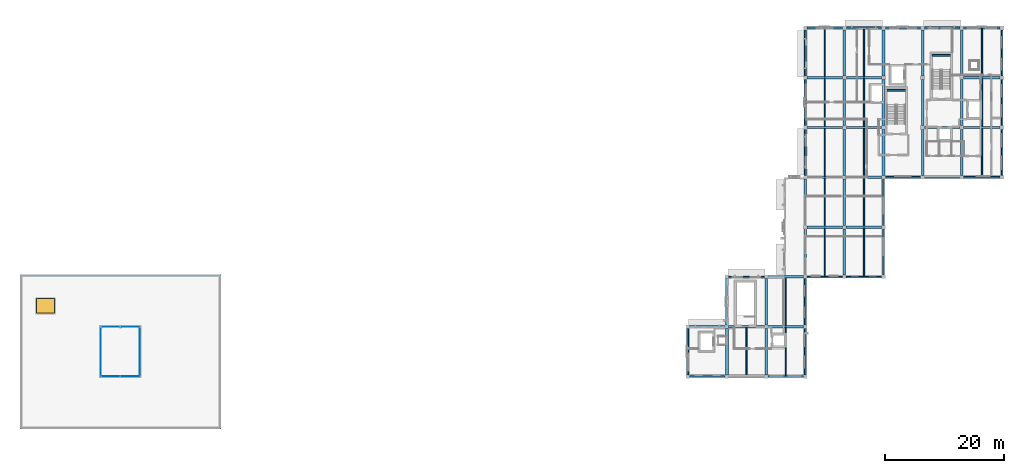
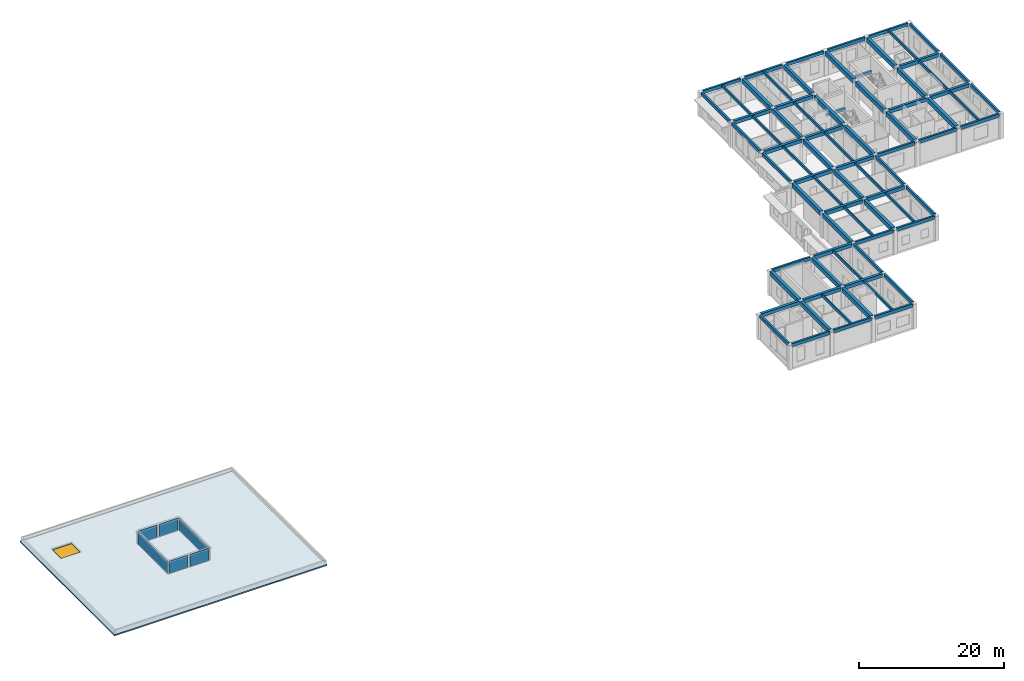
# One storey, part 3 of 14: 78 beams, 6 plates, 1 slab, 1 window, 1 opening.
"""IFC4 building model written with IfcOpenShell, lengths in metres."""

from ifc_helpers import new_model, si_unit, direction, frame, origin, origin_2d, place, context, subcontext, project, spatial, polyline, rectangle, outline, extrude, material, layer, layer_set, material_profile, profile_set, type_object, element, fill, save


model = new_model("IFC4")

# Units and contexts
model_context = context("Model", 3, precision=1e-05, world=origin(), true_north=direction((0.0, 1.0)))
body_context = subcontext(model_context, "Body", "Model", "MODEL_VIEW")
ifc_project = project(units=[si_unit("LENGTHUNIT", "METRE"), si_unit("AREAUNIT", "SQUARE_METRE"), si_unit("VOLUMEUNIT", "CUBIC_METRE"), si_unit("PLANEANGLEUNIT", "RADIAN"), si_unit("MASSUNIT", "GRAM", prefix="KILO")], contexts=[model_context])

# Site, building, storey
site_placement = place(None, origin())
site = spatial("IfcSite", under=ifc_project, at=site_placement, CompositionType="ELEMENT")
building_placement = place(site_placement, origin())
building = spatial("IfcBuilding", under=site, at=building_placement, Name="Kolvaren Faculty of Natural Sciences", CompositionType="ELEMENT")
storey_placement = place(building_placement, frame((0.0, 0.0, 28.5)))
storey = spatial("IfcBuildingStorey", under=building, at=storey_placement, Name="L06", CompositionType="ELEMENT", Elevation=28.5)

# Beams
ifc_material_1 = material(Name="Concrete C40/50", Category="concrete")
ifc_material_profile_1 = material_profile(ifc_material_1, rectangle(XDim=0.300048828125, YDim=0.449951171875, at=origin_2d()), Name="RC LNT 300x450")
ifc_profile_set_1 = profile_set([ifc_material_profile_1], Name="Concrete C40/50")
beam_type_1 = type_object("IfcBeamType", Name="CoreCouplingLintel_300x450", PredefinedType="LINTEL", material=ifc_profile_set_1)
beam_1_placement = place(storey_placement, frame((160.22509765625, 79.580078125, 1.675048828125), z_axis=(1.0, 0.0, 0.0), x_axis=(0.0, 1.0, 0.0)))
element("IfcBeam", 1, at=beam_1_placement, inside=storey, type_object=beam_type_1, Name="L06 ST-1 half-landing support lintel", PredefinedType="LINTEL", context=body_context, shape_type="SweptSolid", body=[
    extrude(rectangle(XDim=0.300048828125, YDim=0.449951171875, at=origin_2d()), origin(), (0.0, 0.0, 1.0), 3.0498046875),
])
beam_2_placement = place(storey_placement, frame((152.625, 73.679931640625, 1.675048828125), z_axis=(1.0, 0.0, 0.0), x_axis=(0.0, 1.0, 0.0)))
element("IfcBeam", 2, at=beam_2_placement, inside=storey, type_object=beam_type_1, Name="L06 ST-2 half-landing support lintel", PredefinedType="LINTEL", context=body_context, shape_type="SweptSolid", body=[
    extrude(rectangle(XDim=0.300048828125, YDim=0.449951171875, at=origin_2d()), origin(), (0.0, 0.0, 1.0), 3.050048828125),
])
ifc_material_2 = material(Name="Concrete C35/45", Category="concrete")
ifc_material_profile_2 = material_profile(ifc_material_2, rectangle(XDim=0.39990234375, YDim=0.60009765625, at=origin_2d()), Name="RC BM 400x600")
ifc_profile_set_2 = profile_set([ifc_material_profile_2], Name="Concrete C35/45")
beam_type_2 = type_object("IfcBeamType", Name="GridBeam_400x600", PredefinedType="BEAM", material=ifc_profile_set_2)
for number, where, z_axis, x_axis, name in (
    (3, (119.300048828125, 33.800048828125, 3.89990234375), (1.0, 0.0, 0.0), (0.0, 1.0, 0.0), "L06 beam BM-60 on grid E"),
    (4, (125.89990234375, 33.800048828125, 3.89990234375), (1.0, 0.0, 0.0), (0.0, 1.0, 0.0), "L06 beam BM-60 on grid E"),
    (5, (132.5, 33.800048828125, 3.89990234375), (1.0, 0.0, 0.0), (0.0, 1.0, 0.0), "L06 beam BM-60 on grid E"),
    (6, (132.5, 42.199951171875, 3.89990234375), (1.0, 0.0, 0.0), (0.0, 1.0, 0.0), "L06 beam BM-60 on grid F"),
    (7, (139.10009765625, 50.60009765625, 3.89990234375), (1.0, 0.0, 0.0), (0.0, 1.0, 0.0), "L06 beam BM-60 on grid G"),
    (8, (145.699951171875, 50.60009765625, 3.89990234375), (1.0, 0.0, 0.0), (0.0, 1.0, 0.0), "L06 beam BM-60 on grid G"),
):
    element("IfcBeam", number, at=place(storey_placement, frame(where, z_axis=z_axis, x_axis=x_axis)), inside=storey, type_object=beam_type_2, Name=name, PredefinedType="BEAM", context=body_context, shape_type="SweptSolid", body=[
        extrude(rectangle(XDim=0.39990234375, YDim=0.60009765625, at=origin_2d()), origin(), (0.0, 0.0, 1.0), 6.0),
    ])
for number, where, z_axis, x_axis, name in (
    (9, (139.125, 59.0, 3.89990234375), (1.0, 0.0, 0.0), (0.0, 1.0, 0.0), "L06 beam BM-60 on grid H"),
    (10, (145.72509765625, 59.0, 3.89990234375), (1.0, 0.0, 0.0), (0.0, 1.0, 0.0), "L06 beam BM-60 on grid H"),
    (11, (139.125, 67.39990234375, 3.89990234375), (1.0, 0.0, 0.0), (0.0, 1.0, 0.0), "L06 beam BM-60 on grid J"),
    (12, (145.72509765625, 67.39990234375, 3.89990234375), (1.0, 0.0, 0.0), (0.0, 1.0, 0.0), "L06 beam BM-60 on grid J"),
    (13, (158.925048828125, 67.39990234375, 3.89990234375), (1.0, 0.0, 0.0), (0.0, 1.0, 0.0), "L06 beam BM-60 on grid J"),
):
    element("IfcBeam", number, at=place(storey_placement, frame(where, z_axis=z_axis, x_axis=x_axis)), inside=storey, type_object=beam_type_2, Name=name, PredefinedType="BEAM", context=body_context, shape_type="SweptSolid", body=[
        extrude(rectangle(XDim=0.39990234375, YDim=0.60009765625, at=origin_2d()), origin(), (0.0, 0.0, 1.0), 5.949951171875),
    ])
beam_3_placement = place(storey_placement, frame((165.52490234375, 67.39990234375, 3.89990234375), z_axis=(1.0, 0.0, 0.0), x_axis=(0.0, 1.0, 0.0)))
element("IfcBeam", 14, at=beam_3_placement, inside=storey, type_object=beam_type_2, Name="L06 beam BM-60 on grid J", PredefinedType="BEAM", context=body_context, shape_type="SweptSolid", body=[
    extrude(rectangle(XDim=0.39990234375, YDim=0.60009765625, at=origin_2d()), origin(), (0.0, 0.0, 1.0), 6.150146484375),
])
for number, where, z_axis, x_axis, name in (
    (15, (139.125, 75.800048828125, 3.89990234375), (1.0, 0.0, 0.0), (0.0, 1.0, 0.0), "L06 beam BM-60 on grid K"),
    (16, (145.72509765625, 75.800048828125, 3.89990234375), (1.0, 0.0, 0.0), (0.0, 1.0, 0.0), "L06 beam BM-60 on grid K"),
):
    element("IfcBeam", number, at=place(storey_placement, frame(where, z_axis=z_axis, x_axis=x_axis)), inside=storey, type_object=beam_type_2, Name=name, PredefinedType="BEAM", context=body_context, shape_type="SweptSolid", body=[
        extrude(rectangle(XDim=0.39990234375, YDim=0.60009765625, at=origin_2d()), origin(), (0.0, 0.0, 1.0), 5.949951171875),
    ])
beam_4_placement = place(storey_placement, frame((165.52490234375, 75.800048828125, 3.89990234375), z_axis=(1.0, 0.0, 0.0), x_axis=(0.0, 1.0, 0.0)))
element("IfcBeam", 17, at=beam_4_placement, inside=storey, type_object=beam_type_2, Name="L06 beam BM-60 on grid K", PredefinedType="BEAM", context=body_context, shape_type="SweptSolid", body=[
    extrude(rectangle(XDim=0.39990234375, YDim=0.60009765625, at=origin_2d()), origin(), (0.0, 0.0, 1.0), 6.150146484375),
])
ifc_material_profile_3 = material_profile(ifc_material_2, rectangle(XDim=0.219970703125, YDim=0.449951171875, at=origin_2d()), Name="RC JST 220x450")
ifc_profile_set_3 = profile_set([ifc_material_profile_3], Name="Concrete C35/45")
beam_type_3 = type_object("IfcBeamType", Name="OfficeRibJoist_220x450", PredefinedType="JOIST", material=ifc_profile_set_3)
for number, where, z_axis, x_axis, name in (
    (18, (128.89990234375, 25.550048828125, 3.97509765625), (0.0, 1.0, 0.0), (-1.0, 0.0, 0.0), "L06 ribbed laboratory slab joist JS-45"),
    (19, (135.5, 25.550048828125, 3.97509765625), (0.0, 1.0, 0.0), (-1.0, 0.0, 0.0), "L06 ribbed laboratory slab joist JS-45"),
):
    element("IfcBeam", number, at=place(storey_placement, frame(where, z_axis=z_axis, x_axis=x_axis)), inside=storey, type_object=beam_type_3, Name=name, PredefinedType="JOIST", context=body_context, shape_type="SweptSolid", body=[
        extrude(rectangle(XDim=0.219970703125, YDim=0.449951171875, at=origin_2d()), origin(), (0.0, 0.0, 1.0), 8.050048828125),
    ])
beam_5_placement = place(storey_placement, frame((135.5, 34.0, 3.97509765625), z_axis=(0.0, 1.0, 0.0), x_axis=(-1.0, 0.0, 0.0)))
element("IfcBeam", 20, at=beam_5_placement, inside=storey, type_object=beam_type_3, Name="L06 ribbed laboratory slab joist JS-45", PredefinedType="JOIST", context=body_context, shape_type="SweptSolid", body=[
    extrude(rectangle(XDim=0.219970703125, YDim=0.449951171875, at=origin_2d()), origin(), (0.0, 0.0, 1.0), 8.0),
])
beam_6_placement = place(storey_placement, frame((142.10009765625, 42.35009765625, 3.97509765625), z_axis=(0.0, 1.0, 0.0), x_axis=(-1.0, 0.0, 0.0)))
element("IfcBeam", 21, at=beam_6_placement, inside=storey, type_object=beam_type_3, Name="L06 ribbed laboratory slab joist JS-45", PredefinedType="JOIST", context=body_context, shape_type="SweptSolid", body=[
    extrude(rectangle(XDim=0.219970703125, YDim=0.449951171875, at=origin_2d()), origin(), (0.0, 0.0, 1.0), 8.0498046875),
])
for number, where, z_axis, x_axis, name in (
    (22, (142.10009765625, 50.800048828125, 3.97509765625), (0.0, 1.0, 0.0), (-1.0, 0.0, 0.0), "L06 ribbed laboratory slab joist JS-45"),
    (23, (142.10009765625, 59.199951171875, 3.97509765625), (0.0, 1.0, 0.0), (-1.0, 0.0, 0.0), "L06 ribbed laboratory slab joist JS-45"),
    (24, (142.10009765625, 67.60009765625, 3.97509765625), (0.0, 1.0, 0.0), (-1.0, 0.0, 0.0), "L06 ribbed laboratory slab joist JS-45"),
):
    element("IfcBeam", number, at=place(storey_placement, frame(where, z_axis=z_axis, x_axis=x_axis)), inside=storey, type_object=beam_type_3, Name=name, PredefinedType="JOIST", context=body_context, shape_type="SweptSolid", body=[
        extrude(rectangle(XDim=0.219970703125, YDim=0.449951171875, at=origin_2d()), origin(), (0.0, 0.0, 1.0), 8.0),
    ])
beam_7_placement = place(storey_placement, frame((142.10009765625, 76.0, 3.97509765625), z_axis=(0.0, 1.0, 0.0), x_axis=(-1.0, 0.0, 0.0)))
element("IfcBeam", 25, at=beam_7_placement, inside=storey, type_object=beam_type_3, Name="L06 ribbed laboratory slab joist JS-45", PredefinedType="JOIST", context=body_context, shape_type="SweptSolid", body=[
    extrude(rectangle(XDim=0.219970703125, YDim=0.449951171875, at=origin_2d()), origin(), (0.0, 0.0, 1.0), 8.050048828125),
])
beam_8_placement = place(storey_placement, frame((148.699951171875, 42.35009765625, 3.97509765625), z_axis=(0.0, 1.0, 0.0), x_axis=(-1.0, 0.0, 0.0)))
element("IfcBeam", 26, at=beam_8_placement, inside=storey, type_object=beam_type_3, Name="L06 ribbed laboratory slab joist JS-45", PredefinedType="JOIST", context=body_context, shape_type="SweptSolid", body=[
    extrude(rectangle(XDim=0.219970703125, YDim=0.449951171875, at=origin_2d()), origin(), (0.0, 0.0, 1.0), 8.0498046875),
])
for number, where, z_axis, x_axis, name in (
    (27, (148.699951171875, 50.800048828125, 3.97509765625), (0.0, 1.0, 0.0), (-1.0, 0.0, 0.0), "L06 ribbed laboratory slab joist JS-45"),
    (28, (148.699951171875, 59.199951171875, 3.97509765625), (0.0, 1.0, 0.0), (-1.0, 0.0, 0.0), "L06 ribbed laboratory slab joist JS-45"),
    (29, (148.699951171875, 67.60009765625, 3.97509765625), (0.0, 1.0, 0.0), (-1.0, 0.0, 0.0), "L06 ribbed laboratory slab joist JS-45"),
):
    element("IfcBeam", number, at=place(storey_placement, frame(where, z_axis=z_axis, x_axis=x_axis)), inside=storey, type_object=beam_type_3, Name=name, PredefinedType="JOIST", context=body_context, shape_type="SweptSolid", body=[
        extrude(rectangle(XDim=0.219970703125, YDim=0.449951171875, at=origin_2d()), origin(), (0.0, 0.0, 1.0), 8.0),
    ])
for number, where, z_axis, x_axis, name in (
    (30, (148.699951171875, 76.0, 3.97509765625), (0.0, 1.0, 0.0), (-1.0, 0.0, 0.0), "L06 ribbed laboratory slab joist JS-45"),
    (31, (168.60009765625, 59.14990234375, 3.97509765625), (0.0, 1.0, 0.0), (-1.0, 0.0, 0.0), "L06 ribbed laboratory slab joist JS-45"),
):
    element("IfcBeam", number, at=place(storey_placement, frame(where, z_axis=z_axis, x_axis=x_axis)), inside=storey, type_object=beam_type_3, Name=name, PredefinedType="JOIST", context=body_context, shape_type="SweptSolid", body=[
        extrude(rectangle(XDim=0.219970703125, YDim=0.449951171875, at=origin_2d()), origin(), (0.0, 0.0, 1.0), 8.050048828125),
    ])
beam_9_placement = place(storey_placement, frame((168.60009765625, 67.60009765625, 3.97509765625), z_axis=(0.0, 1.0, 0.0), x_axis=(-1.0, 0.0, 0.0)))
element("IfcBeam", 32, at=beam_9_placement, inside=storey, type_object=beam_type_3, Name="L06 ribbed laboratory slab joist JS-45", PredefinedType="JOIST", context=body_context, shape_type="SweptSolid", body=[
    extrude(rectangle(XDim=0.219970703125, YDim=0.449951171875, at=origin_2d()), origin(), (0.0, 0.0, 1.0), 8.0),
])
beam_10_placement = place(storey_placement, frame((168.60009765625, 76.0, 3.97509765625), z_axis=(0.0, 1.0, 0.0), x_axis=(-1.0, 0.0, 0.0)))
element("IfcBeam", 33, at=beam_10_placement, inside=storey, type_object=beam_type_3, Name="L06 ribbed laboratory slab joist JS-45", PredefinedType="JOIST", context=body_context, shape_type="SweptSolid", body=[
    extrude(rectangle(XDim=0.219970703125, YDim=0.449951171875, at=origin_2d()), origin(), (0.0, 0.0, 1.0), 8.050048828125),
])
ifc_material_profile_4 = material_profile(ifc_material_2, rectangle(XDim=0.300048828125, YDim=0.550048828125, at=origin_2d()), Name="RC SP 300x550")
ifc_profile_set_4 = profile_set([ifc_material_profile_4], Name="Concrete C35/45")
beam_type_4 = type_object("IfcBeamType", Name="PerimeterSpandrel_300x550", PredefinedType="SPANDREL", material=ifc_profile_set_4)
for number, where, z_axis, x_axis, name in (
    (34, (119.300048828125, 25.39990234375, 3.925048828125), (1.0, 0.0, 0.0), (0.0, 1.0, 0.0), "L06 spandrel SP-55 on grid D"),
    (35, (125.89990234375, 25.39990234375, 3.925048828125), (1.0, 0.0, 0.0), (0.0, 1.0, 0.0), "L06 spandrel SP-55 on grid D"),
    (36, (132.5, 25.39990234375, 3.925048828125), (1.0, 0.0, 0.0), (0.0, 1.0, 0.0), "L06 spandrel SP-55 on grid D"),
    (37, (125.89990234375, 42.199951171875, 3.925048828125), (1.0, 0.0, 0.0), (0.0, 1.0, 0.0), "L06 spandrel SP-55 on grid F"),
    (38, (139.10009765625, 42.199951171875, 3.925048828125), (1.0, 0.0, 0.0), (0.0, 1.0, 0.0), "L06 spandrel SP-55 on grid F"),
    (39, (145.699951171875, 42.199951171875, 3.925048828125), (1.0, 0.0, 0.0), (0.0, 1.0, 0.0), "L06 spandrel SP-55 on grid F"),
):
    element("IfcBeam", number, at=place(storey_placement, frame(where, z_axis=z_axis, x_axis=x_axis)), inside=storey, type_object=beam_type_4, Name=name, PredefinedType="SPANDREL", context=body_context, shape_type="SweptSolid", body=[
        extrude(rectangle(XDim=0.300048828125, YDim=0.550048828125, at=origin_2d()), origin(), (0.0, 0.0, 1.0), 6.0),
    ])
for number, where, z_axis, x_axis, name in (
    (40, (152.324951171875, 59.0, 3.925048828125), (1.0, 0.0, 0.0), (0.0, 1.0, 0.0), "L06 spandrel SP-55 on grid H"),
    (41, (158.925048828125, 59.0, 3.925048828125), (1.0, 0.0, 0.0), (0.0, 1.0, 0.0), "L06 spandrel SP-55 on grid H"),
):
    element("IfcBeam", number, at=place(storey_placement, frame(where, z_axis=z_axis, x_axis=x_axis)), inside=storey, type_object=beam_type_4, Name=name, PredefinedType="SPANDREL", context=body_context, shape_type="SweptSolid", body=[
        extrude(rectangle(XDim=0.300048828125, YDim=0.550048828125, at=origin_2d()), origin(), (0.0, 0.0, 1.0), 5.949951171875),
    ])
beam_11_placement = place(storey_placement, frame((165.52490234375, 59.0, 3.925048828125), z_axis=(1.0, 0.0, 0.0), x_axis=(0.0, 1.0, 0.0)))
element("IfcBeam", 42, at=beam_11_placement, inside=storey, type_object=beam_type_4, Name="L06 spandrel SP-55 on grid H", PredefinedType="SPANDREL", context=body_context, shape_type="SweptSolid", body=[
    extrude(rectangle(XDim=0.300048828125, YDim=0.550048828125, at=origin_2d()), origin(), (0.0, 0.0, 1.0), 6.150146484375),
])
for number, where, z_axis, x_axis, name in (
    (43, (139.125, 84.199951171875, 3.925048828125), (1.0, 0.0, 0.0), (0.0, 1.0, 0.0), "L06 spandrel SP-55 on grid L"),
    (44, (145.72509765625, 84.199951171875, 3.925048828125), (1.0, 0.0, 0.0), (0.0, 1.0, 0.0), "L06 spandrel SP-55 on grid L"),
    (45, (152.324951171875, 84.199951171875, 3.925048828125), (1.0, 0.0, 0.0), (0.0, 1.0, 0.0), "L06 spandrel SP-55 on grid L"),
    (46, (158.925048828125, 84.199951171875, 3.925048828125), (1.0, 0.0, 0.0), (0.0, 1.0, 0.0), "L06 spandrel SP-55 on grid L"),
):
    element("IfcBeam", number, at=place(storey_placement, frame(where, z_axis=z_axis, x_axis=x_axis)), inside=storey, type_object=beam_type_4, Name=name, PredefinedType="SPANDREL", context=body_context, shape_type="SweptSolid", body=[
        extrude(rectangle(XDim=0.300048828125, YDim=0.550048828125, at=origin_2d()), origin(), (0.0, 0.0, 1.0), 5.949951171875),
    ])
beam_12_placement = place(storey_placement, frame((165.52490234375, 84.199951171875, 3.925048828125), z_axis=(1.0, 0.0, 0.0), x_axis=(0.0, 1.0, 0.0)))
element("IfcBeam", 47, at=beam_12_placement, inside=storey, type_object=beam_type_4, Name="L06 spandrel SP-55 on grid L", PredefinedType="SPANDREL", context=body_context, shape_type="SweptSolid", body=[
    extrude(rectangle(XDim=0.300048828125, YDim=0.550048828125, at=origin_2d()), origin(), (0.0, 0.0, 1.0), 6.150146484375),
])
for number, where, z_axis, x_axis, name in (
    (48, (119.0, 25.699951171875, 3.925048828125), (0.0, 1.0, 0.0), (-1.0, 0.0, 0.0), "L06 girder SP-55 on grid 19"),
    (49, (138.800048828125, 25.699951171875, 3.925048828125), (0.0, 1.0, 0.0), (-1.0, 0.0, 0.0), "L06 girder SP-55 on grid 22"),
):
    element("IfcBeam", number, at=place(storey_placement, frame(where, z_axis=z_axis, x_axis=x_axis)), inside=storey, type_object=beam_type_4, Name=name, PredefinedType="SPANDREL", context=body_context, shape_type="SweptSolid", body=[
        extrude(rectangle(XDim=0.300048828125, YDim=0.550048828125, at=origin_2d()), origin(), (0.0, 0.0, 1.0), 7.800048828125),
    ])
beam_13_placement = place(storey_placement, frame((138.800048828125, 34.10009765625, 3.925048828125), z_axis=(0.0, 1.0, 0.0), x_axis=(-1.0, 0.0, 0.0)))
element("IfcBeam", 50, at=beam_13_placement, inside=storey, type_object=beam_type_4, Name="L06 girder SP-55 on grid 22", PredefinedType="SPANDREL", context=body_context, shape_type="SweptSolid", body=[
    extrude(rectangle(XDim=0.300048828125, YDim=0.550048828125, at=origin_2d()), origin(), (0.0, 0.0, 1.0), 7.7998046875),
])
for number, where, z_axis, x_axis, name in (
    (51, (138.800048828125, 59.324951171875, 3.925048828125), (0.0, 1.0, 0.0), (-1.0, 0.0, 0.0), "L06 girder SP-55 on grid 22"),
    (52, (138.800048828125, 67.72509765625, 3.925048828125), (0.0, 1.0, 0.0), (-1.0, 0.0, 0.0), "L06 girder SP-55 on grid 22"),
    (53, (138.800048828125, 76.125, 3.925048828125), (0.0, 1.0, 0.0), (-1.0, 0.0, 0.0), "L06 girder SP-55 on grid 22"),
):
    element("IfcBeam", number, at=place(storey_placement, frame(where, z_axis=z_axis, x_axis=x_axis)), inside=storey, type_object=beam_type_4, Name=name, PredefinedType="SPANDREL", context=body_context, shape_type="SweptSolid", body=[
        extrude(rectangle(XDim=0.300048828125, YDim=0.550048828125, at=origin_2d()), origin(), (0.0, 0.0, 1.0), 7.75),
    ])
beam_14_placement = place(storey_placement, frame((152.0, 42.5, 3.925048828125), z_axis=(0.0, 1.0, 0.0), x_axis=(-1.0, 0.0, 0.0)))
element("IfcBeam", 54, at=beam_14_placement, inside=storey, type_object=beam_type_4, Name="L06 girder SP-55 on grid 24", PredefinedType="SPANDREL", context=body_context, shape_type="SweptSolid", body=[
    extrude(rectangle(XDim=0.300048828125, YDim=0.550048828125, at=origin_2d()), origin(), (0.0, 0.0, 1.0), 7.800048828125),
])
beam_15_placement = place(storey_placement, frame((152.0, 50.89990234375, 3.925048828125), z_axis=(0.0, 1.0, 0.0), x_axis=(-1.0, 0.0, 0.0)))
element("IfcBeam", 55, at=beam_15_placement, inside=storey, type_object=beam_type_4, Name="L06 girder SP-55 on grid 24", PredefinedType="SPANDREL", context=body_context, shape_type="SweptSolid", body=[
    extrude(rectangle(XDim=0.300048828125, YDim=0.550048828125, at=origin_2d()), origin(), (0.0, 0.0, 1.0), 7.775146484375),
])
for number, where, z_axis, x_axis, name in (
    (56, (172.0, 59.324951171875, 3.925048828125), (0.0, 1.0, 0.0), (-1.0, 0.0, 0.0), "L06 girder SP-55 on grid 27"),
    (57, (172.0, 67.72509765625, 3.925048828125), (0.0, 1.0, 0.0), (-1.0, 0.0, 0.0), "L06 girder SP-55 on grid 27"),
    (58, (172.0, 76.125, 3.925048828125), (0.0, 1.0, 0.0), (-1.0, 0.0, 0.0), "L06 girder SP-55 on grid 27"),
):
    element("IfcBeam", number, at=place(storey_placement, frame(where, z_axis=z_axis, x_axis=x_axis)), inside=storey, type_object=beam_type_4, Name=name, PredefinedType="SPANDREL", context=body_context, shape_type="SweptSolid", body=[
        extrude(rectangle(XDim=0.300048828125, YDim=0.550048828125, at=origin_2d()), origin(), (0.0, 0.0, 1.0), 7.75),
    ])
ifc_material_profile_5 = material_profile(ifc_material_2, rectangle(XDim=0.449951171875, YDim=0.75, at=origin_2d()), Name="RC BM 450x750")
ifc_profile_set_5 = profile_set([ifc_material_profile_5], Name="Concrete C35/45")
beam_type_5 = type_object("IfcBeamType", Name="PrimaryGirder_450x750", PredefinedType="BEAM", material=ifc_profile_set_5)
beam_16_placement = place(storey_placement, frame((125.60009765625, 25.699951171875, 3.824951171875), z_axis=(0.0, 1.0, 0.0), x_axis=(-1.0, 0.0, 0.0)))
element("IfcBeam", 59, at=beam_16_placement, inside=storey, type_object=beam_type_5, Name="L06 girder BG-75 on grid 20", PredefinedType="BEAM", context=body_context, shape_type="SweptSolid", body=[
    extrude(rectangle(XDim=0.449951171875, YDim=0.75, at=origin_2d()), origin(), (0.0, 0.0, 1.0), 7.800048828125),
])
beam_17_placement = place(storey_placement, frame((125.60009765625, 34.10009765625, 3.824951171875), z_axis=(0.0, 1.0, 0.0), x_axis=(-1.0, 0.0, 0.0)))
element("IfcBeam", 60, at=beam_17_placement, inside=storey, type_object=beam_type_5, Name="L06 girder BG-75 on grid 20", PredefinedType="BEAM", context=body_context, shape_type="SweptSolid", body=[
    extrude(rectangle(XDim=0.449951171875, YDim=0.75, at=origin_2d()), origin(), (0.0, 0.0, 1.0), 7.7998046875),
])
beam_18_placement = place(storey_placement, frame((132.199951171875, 25.699951171875, 3.824951171875), z_axis=(0.0, 1.0, 0.0), x_axis=(-1.0, 0.0, 0.0)))
element("IfcBeam", 61, at=beam_18_placement, inside=storey, type_object=beam_type_5, Name="L06 girder BG-75 on grid 21", PredefinedType="BEAM", context=body_context, shape_type="SweptSolid", body=[
    extrude(rectangle(XDim=0.449951171875, YDim=0.75, at=origin_2d()), origin(), (0.0, 0.0, 1.0), 7.800048828125),
])
beam_19_placement = place(storey_placement, frame((132.199951171875, 34.10009765625, 3.824951171875), z_axis=(0.0, 1.0, 0.0), x_axis=(-1.0, 0.0, 0.0)))
element("IfcBeam", 62, at=beam_19_placement, inside=storey, type_object=beam_type_5, Name="L06 girder BG-75 on grid 21", PredefinedType="BEAM", context=body_context, shape_type="SweptSolid", body=[
    extrude(rectangle(XDim=0.449951171875, YDim=0.75, at=origin_2d()), origin(), (0.0, 0.0, 1.0), 7.7998046875),
])
beam_20_placement = place(storey_placement, frame((138.800048828125, 42.5, 3.824951171875), z_axis=(0.0, 1.0, 0.0), x_axis=(-1.0, 0.0, 0.0)))
element("IfcBeam", 63, at=beam_20_placement, inside=storey, type_object=beam_type_5, Name="L06 girder BG-75 on grid 22", PredefinedType="BEAM", context=body_context, shape_type="SweptSolid", body=[
    extrude(rectangle(XDim=0.449951171875, YDim=0.75, at=origin_2d()), origin(), (0.0, 0.0, 1.0), 7.800048828125),
])
beam_21_placement = place(storey_placement, frame((138.800048828125, 50.89990234375, 3.824951171875), z_axis=(0.0, 1.0, 0.0), x_axis=(-1.0, 0.0, 0.0)))
element("IfcBeam", 64, at=beam_21_placement, inside=storey, type_object=beam_type_5, Name="L06 girder BG-75 on grid 22", PredefinedType="BEAM", context=body_context, shape_type="SweptSolid", body=[
    extrude(rectangle(XDim=0.449951171875, YDim=0.75, at=origin_2d()), origin(), (0.0, 0.0, 1.0), 7.775146484375),
])
beam_22_placement = place(storey_placement, frame((145.39990234375, 42.5, 3.824951171875), z_axis=(0.0, 1.0, 0.0), x_axis=(-1.0, 0.0, 0.0)))
element("IfcBeam", 65, at=beam_22_placement, inside=storey, type_object=beam_type_5, Name="L06 girder BG-75 on grid 23", PredefinedType="BEAM", context=body_context, shape_type="SweptSolid", body=[
    extrude(rectangle(XDim=0.449951171875, YDim=0.75, at=origin_2d()), origin(), (0.0, 0.0, 1.0), 7.800048828125),
])
beam_23_placement = place(storey_placement, frame((145.39990234375, 50.89990234375, 3.824951171875), z_axis=(0.0, 1.0, 0.0), x_axis=(-1.0, 0.0, 0.0)))
element("IfcBeam", 66, at=beam_23_placement, inside=storey, type_object=beam_type_5, Name="L06 girder BG-75 on grid 23", PredefinedType="BEAM", context=body_context, shape_type="SweptSolid", body=[
    extrude(rectangle(XDim=0.449951171875, YDim=0.75, at=origin_2d()), origin(), (0.0, 0.0, 1.0), 7.775146484375),
])
for number, where, z_axis, x_axis, name in (
    (67, (145.39990234375, 59.324951171875, 3.824951171875), (0.0, 1.0, 0.0), (-1.0, 0.0, 0.0), "L06 girder BG-75 on grid 23"),
    (68, (145.39990234375, 67.72509765625, 3.824951171875), (0.0, 1.0, 0.0), (-1.0, 0.0, 0.0), "L06 girder BG-75 on grid 23"),
    (69, (145.39990234375, 76.125, 3.824951171875), (0.0, 1.0, 0.0), (-1.0, 0.0, 0.0), "L06 girder BG-75 on grid 23"),
    (70, (152.0, 59.324951171875, 3.824951171875), (0.0, 1.0, 0.0), (-1.0, 0.0, 0.0), "L06 girder BG-75 on grid 24"),
    (71, (152.0, 67.72509765625, 3.824951171875), (0.0, 1.0, 0.0), (-1.0, 0.0, 0.0), "L06 girder BG-75 on grid 24"),
    (72, (152.0, 76.125, 3.824951171875), (0.0, 1.0, 0.0), (-1.0, 0.0, 0.0), "L06 girder BG-75 on grid 24"),
    (73, (158.60009765625, 59.324951171875, 3.824951171875), (0.0, 1.0, 0.0), (-1.0, 0.0, 0.0), "L06 girder BG-75 on grid 25"),
    (74, (158.60009765625, 67.72509765625, 3.824951171875), (0.0, 1.0, 0.0), (-1.0, 0.0, 0.0), "L06 girder BG-75 on grid 25"),
    (75, (158.60009765625, 76.125, 3.824951171875), (0.0, 1.0, 0.0), (-1.0, 0.0, 0.0), "L06 girder BG-75 on grid 25"),
    (76, (165.199951171875, 59.324951171875, 3.824951171875), (0.0, 1.0, 0.0), (-1.0, 0.0, 0.0), "L06 girder BG-75 on grid 26"),
    (77, (165.199951171875, 67.72509765625, 3.824951171875), (0.0, 1.0, 0.0), (-1.0, 0.0, 0.0), "L06 girder BG-75 on grid 26"),
    (78, (165.199951171875, 76.125, 3.824951171875), (0.0, 1.0, 0.0), (-1.0, 0.0, 0.0), "L06 girder BG-75 on grid 26"),
):
    element("IfcBeam", number, at=place(storey_placement, frame(where, z_axis=z_axis, x_axis=x_axis)), inside=storey, type_object=beam_type_5, Name=name, PredefinedType="BEAM", context=body_context, shape_type="SweptSolid", body=[
        extrude(rectangle(XDim=0.449951171875, YDim=0.75, at=origin_2d()), origin(), (0.0, 0.0, 1.0), 7.75),
    ])

# Plates
ifc_material_3 = material(Name="Structural steel EN 10025-2 S355J2", Category="steel")
ifc_layer_1 = layer(ifc_material_3, 0.011962890625)
ifc_layer_set_1 = layer_set([ifc_layer_1], Name="Structural steel EN 10025-2 S355J2")
plate_type = type_object("IfcPlateType", Name="EnvelopePlate_PS01", PredefinedType="USERDEFINED", material=ifc_layer_set_1)
for number, where, z_axis, x_axis, name in (
    (79, (21.64990234375, 25.39990234375, 0.10986328125), (0.0, 0.0, 1.0), (1.0, 0.0, 0.0), "Rooftop acoustic plant screen panel 1"),
    (80, (24.949951171875, 25.39990234375, 0.10986328125), (0.0, 0.0, 1.0), (1.0, 0.0, 0.0), "Rooftop acoustic plant screen panel 2"),
):
    element("IfcPlate", number, at=place(storey_placement, frame(where, z_axis=z_axis, x_axis=x_axis)), inside=storey, type_object=plate_type, Name=name, ObjectType="SCREEN", PredefinedType="USERDEFINED", context=body_context, shape_type="SweptSolid", body=[
        extrude(rectangle(XDim=2.93994140625, YDim=0.011962890625, at=origin_2d()), origin(), (0.0, 0.0, 1.0), 2.10009765625),
    ])
plate_1_placement = place(storey_placement, frame((26.60009765625, 29.60009765625, 0.10986328125), z_axis=(0.0, 0.0, 1.0), x_axis=(0.0, 1.0, 0.0)))
element("IfcPlate", 81, at=plate_1_placement, inside=storey, type_object=plate_type, Name="Rooftop acoustic plant screen panel 3", ObjectType="SCREEN", PredefinedType="USERDEFINED", context=body_context, shape_type="SweptSolid", body=[
    extrude(rectangle(XDim=8.0400390625, YDim=0.011962890625, at=origin_2d()), origin(), (0.0, 0.0, 1.0), 2.10009765625),
])
for number, where, z_axis, x_axis, name in (
    (82, (24.949951171875, 33.800048828125, 0.10986328125), (0.0, 0.0, 1.0), (1.0, 0.0, 0.0), "Rooftop acoustic plant screen panel 4"),
    (83, (21.64990234375, 33.800048828125, 0.10986328125), (0.0, 0.0, 1.0), (1.0, 0.0, 0.0), "Rooftop acoustic plant screen panel 5"),
):
    element("IfcPlate", number, at=place(storey_placement, frame(where, z_axis=z_axis, x_axis=x_axis)), inside=storey, type_object=plate_type, Name=name, ObjectType="SCREEN", PredefinedType="USERDEFINED", context=body_context, shape_type="SweptSolid", body=[
        extrude(rectangle(XDim=2.93994140625, YDim=0.011962890625, at=origin_2d()), origin(), (0.0, 0.0, 1.0), 2.10009765625),
    ])
plate_2_placement = place(storey_placement, frame((20.0, 29.60009765625, 0.10986328125), z_axis=(0.0, 0.0, 1.0), x_axis=(0.0, 1.0, 0.0)))
element("IfcPlate", 84, at=plate_2_placement, inside=storey, type_object=plate_type, Name="Rooftop acoustic plant screen panel 6", ObjectType="SCREEN", PredefinedType="USERDEFINED", context=body_context, shape_type="SweptSolid", body=[
    extrude(rectangle(XDim=8.0400390625, YDim=0.011962890625, at=origin_2d()), origin(), (0.0, 0.0, 1.0), 2.10009765625),
])

# Slab, opening, window
ifc_layer_2 = layer(ifc_material_2, 0.219970703125)
ifc_layer_set_2 = layer_set([ifc_layer_2], Name="Concrete C35/45")
slab_type = type_object("IfcSlabType", Name="FlatWingRoofSlab_220", PredefinedType="ROOF", material=ifc_layer_set_2)
slab_placement = place(storey_placement, frame((0.0, 0.0, -0.219970703125)))
slab = element("IfcSlab", 85, at=slab_placement, inside=storey, type_object=slab_type, Name="L06 flat reinforced concrete roof slab 1", PredefinedType="ROOF", context=body_context, shape_type="SweptSolid", body=[
    extrude(outline(polyline([(40.22998046875, 16.570068359375), (6.3701171875, 16.570068359375), (6.3701171875, 42.6298828125), (40.22998046875, 42.6298828125), (40.22998046875, 16.570068359375)])), origin(), (0.0, 0.0, 1.0), 0.219970703125),
])
opening_placement = place(slab_placement, frame((10.674072265625, 37.3359375, 0.0)))
opening = element("IfcOpeningElement", 86, at=opening_placement, cuts=slab, Name="Opening SK-02", PredefinedType="OPENING", context=body_context, shape_type="SweptSolid", body=[
    extrude(rectangle(XDim=3.0, YDim=2.39990234375, at=origin_2d()), frame((0.0, 0.0, -0.010009765625)), (0.0, 0.0, 1.0), 0.239990234375),
])
ifc_material_4 = material(Name="Double low-E solar control insulated glazing", Category="glass")
window_type = type_object("IfcWindowType", Name="RoofSkylight_SK02_3000x2400", PartitioningType="SINGLE_PANEL", PredefinedType="SKYLIGHT", material=ifc_material_4)
window_placement = place(opening_placement, frame((0.0, 0.0, 0.169921875)))
window = element("IfcWindow", 87, at=window_placement, inside=storey, type_object=window_type, Name="SKY-L06-04", OverallHeight=2.39990234375, OverallWidth=3.0, PartitioningType="SINGLE_PANEL", PredefinedType="SKYLIGHT", context=body_context, shape_type="SweptSolid", body=[
    extrude(rectangle(XDim=3.0, YDim=2.39990234375, at=origin_2d()), origin(), (0.0, 0.0, 1.0), 0.050048828125),
])
fill(opening, window)

save(model, "model.ifc")
